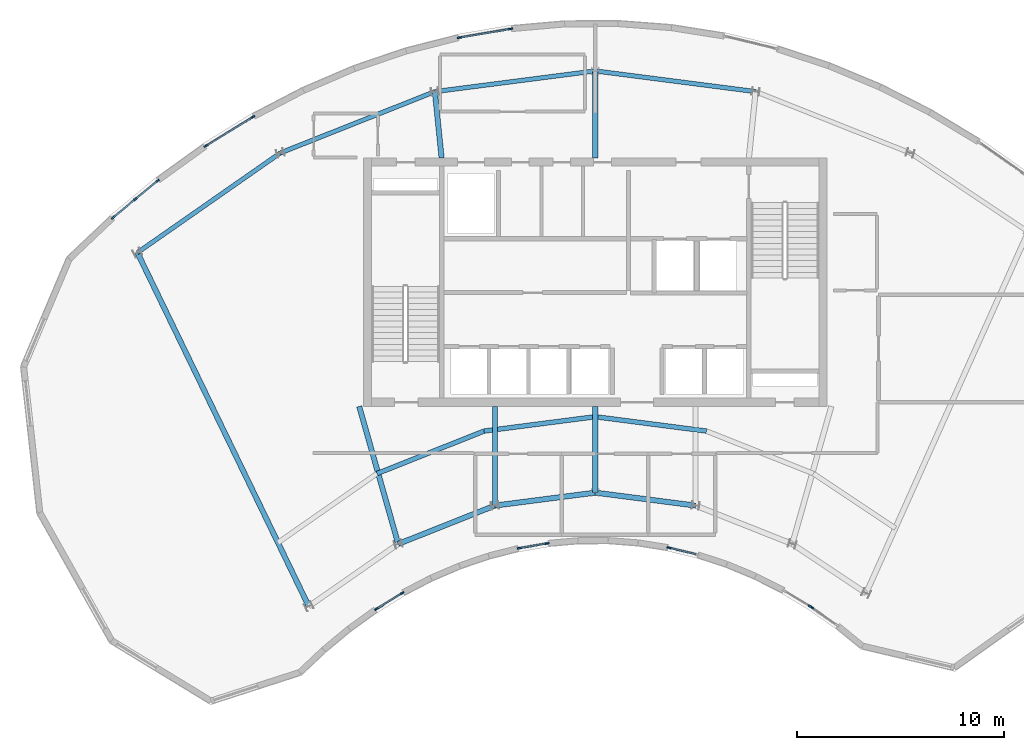
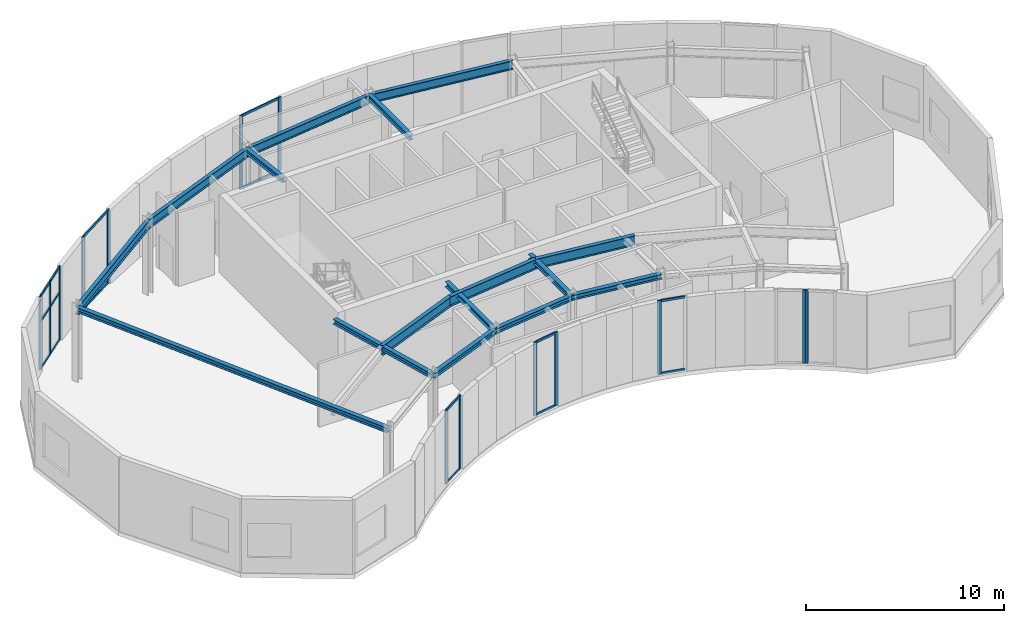
# One storey, part 3 of 10: 30 members, 16 beams, 8 elements without a shape of their own.
"""IFC4 building model written with IfcOpenShell, lengths in metres."""

from ifc_helpers import new_model, si_unit, direction, frame, origin, origin_2d, place, context, subcontext, project, spatial, rectangle, i_section, extrude, source, transform, mapped, material, layer, layer_set, material_profile, profile_set, type_object, element, aggregate, save


model = new_model("IFC4")

# Units and contexts
model_context = context("Model", 3, precision=1e-05, world=origin(), true_north=direction((0.0, 1.0)))
body_context = subcontext(model_context, "Body", "Model", "MODEL_VIEW")
ifc_project = project(units=[si_unit("LENGTHUNIT", "METRE"), si_unit("AREAUNIT", "SQUARE_METRE"), si_unit("VOLUMEUNIT", "CUBIC_METRE"), si_unit("PLANEANGLEUNIT", "RADIAN"), si_unit("MASSUNIT", "GRAM", prefix="KILO")], contexts=[model_context])

# Site, building, storey
site_placement = place(None, origin())
site = spatial("IfcSite", under=ifc_project, at=site_placement, CompositionType="ELEMENT")
building_placement = place(site_placement, origin())
building = spatial("IfcBuilding", under=site, at=building_placement, Name="Breltana Convention Tower", CompositionType="ELEMENT")
storey_placement = place(building_placement, frame((0.0, 0.0, 303.0)))
storey = spatial("IfcBuildingStorey", under=building, at=storey_placement, Name="L74", CompositionType="ELEMENT", Elevation=303.0)

# Beams
ifc_material_1 = material(Name="Steel ASTM A992 Grade 50", Category="steel")
ifc_material_profile_1 = material_profile(ifc_material_1, i_section(OverallWidth=0.214111328125, OverallDepth=0.549072265625, WebThickness=0.0146484375, FlangeThickness=0.023681640625, at=origin_2d()), Name="W21X93")
ifc_profile_set_1 = profile_set([ifc_material_profile_1], Name="Steel ASTM A992 Grade 50")
beam_type_1 = type_object("IfcBeamType", Name="BM-SP-W21X93", PredefinedType="SPANDREL", material=ifc_profile_set_1)
shared_shape_1 = source(origin(), body_context, "Body", "SweptSolid", [
    extrude(i_section(OverallWidth=0.214111328125, OverallDepth=0.549072265625, WebThickness=0.0146484375, FlangeThickness=0.023681640625, at=origin_2d()), origin(), (0.0, 0.0, 1.0), 8.4169921875),
])
beam_1_placement = place(storey_placement, frame((25.8876953125, 67.626953125, 4.265380859375), z_axis=(0.820173800102, 0.572114444519, 0.0), x_axis=(-0.572114444519, 0.820173800102, 0.0)))
element("IfcBeam", 1, at=beam_1_placement, inside=storey, type_object=beam_type_1, Name="L74 Outer Spandrel Beam 03", PredefinedType="SPANDREL", context=body_context, shape_type="MappedRepresentation", body=[
    mapped(shared_shape_1, transform((0.0, 0.0, 0.0), scale=1.0)),
])
shared_shape_2 = source(origin(), body_context, "Body", "SweptSolid", [
    extrude(i_section(OverallWidth=0.214111328125, OverallDepth=0.549072265625, WebThickness=0.0146484375, FlangeThickness=0.023681640625, at=origin_2d()), origin(), (0.0, 0.0, 1.0), 8.028564453125),
])
beam_2_placement = place(storey_placement, frame((32.791015625, 72.4423828125, 4.265380859375), z_axis=(0.929459100394, 0.368925169507, 0.0), x_axis=(-0.368925169507, 0.929459100394, 0.0)))
element("IfcBeam", 2, at=beam_2_placement, inside=storey, type_object=beam_type_1, Name="L74 Outer Spandrel Beam 04", PredefinedType="SPANDREL", context=body_context, shape_type="MappedRepresentation", body=[
    mapped(shared_shape_2, transform((0.0, 0.0, 0.0), scale=1.0)),
])
shared_shape_3 = source(origin(), body_context, "Body", "SweptSolid", [
    extrude(i_section(OverallWidth=0.214111328125, OverallDepth=0.549072265625, WebThickness=0.0146484375, FlangeThickness=0.023681640625, at=origin_2d()), origin(), (0.0, 0.0, 1.0), 7.81103515625),
])
for number, where, z_axis, x_axis, name in (
    (3, (40.253173828125, 75.404296875, 4.265380859375), (0.991775179127, 0.127992164083, 0.0), (-0.127992164083, 0.991775179127, 0.0), "L74 Outer Spandrel Beam 05"),
    (4, (48.0, 76.404052734375, 4.265380859375), (0.991775179127, -0.127992164083, 0.0), (0.127992164083, 0.991775179127, 0.0), "L74 Outer Spandrel Beam 06"),
):
    element("IfcBeam", number, at=place(storey_placement, frame(where, z_axis=z_axis, x_axis=x_axis)), inside=storey, type_object=beam_type_1, Name=name, PredefinedType="SPANDREL", context=body_context, shape_type="MappedRepresentation", body=[
        mapped(shared_shape_3, transform((0.0, 0.0, 0.0), scale=1.0)),
    ])
ifc_material_profile_2 = material_profile(ifc_material_1, i_section(OverallWidth=0.25390625, OverallDepth=0.305908203125, WebThickness=0.0087890625, FlangeThickness=0.0146484375, at=origin_2d()), Name="W12X53")
ifc_profile_set_2 = profile_set([ifc_material_profile_2], Name="Steel ASTM A992 Grade 50")
beam_type_2 = type_object("IfcBeamType", Name="BM-CN-W12X53", PredefinedType="BEAM", material=ifc_profile_set_2)
shared_shape_4 = source(origin(), body_context, "Body", "SweptSolid", [
    extrude(i_section(OverallWidth=0.25390625, OverallDepth=0.305908203125, WebThickness=0.0087890625, FlangeThickness=0.0146484375, at=origin_2d()), origin(), (0.0, 0.0, 1.0), 18.982421875),
])
beam_3_placement = place(storey_placement, frame((34.166259765625, 50.544921875, 4.386962890625), z_axis=(-0.436118560343, 0.89988921614, 0.0), x_axis=(-0.89988921614, -0.436118560343, 0.0)))
element("IfcBeam", 5, at=beam_3_placement, inside=storey, type_object=beam_type_2, Name="L74 Radial Floor Girder R03", PredefinedType="BEAM", context=body_context, shape_type="MappedRepresentation", body=[
    mapped(shared_shape_4, transform((0.0, 0.0, 0.0), scale=1.0)),
])
shared_shape_5 = source(origin(), body_context, "Body", "SweptSolid", [
    extrude(i_section(OverallWidth=0.25390625, OverallDepth=0.305908203125, WebThickness=0.0087890625, FlangeThickness=0.0146484375, at=origin_2d()), origin(), (0.0, 0.0, 1.0), 6.904541015625),
])
beam_4_placement = place(storey_placement, frame((36.60009765625, 60.199951171875, 4.386962890625), z_axis=(0.273006781054, -0.962012108811, 0.0), x_axis=(0.962012108811, 0.273006781054, 0.0)))
element("IfcBeam", 6, at=beam_4_placement, inside=storey, type_object=beam_type_2, Name="L74 South Core Tie Girder R04", PredefinedType="BEAM", context=body_context, shape_type="MappedRepresentation", body=[
    mapped(shared_shape_5, transform((0.0, 0.0, 0.0), scale=1.0)),
])
shared_shape_6 = source(origin(), body_context, "Body", "SweptSolid", [
    extrude(i_section(OverallWidth=0.25390625, OverallDepth=0.305908203125, WebThickness=0.0087890625, FlangeThickness=0.0146484375, at=origin_2d()), origin(), (0.0, 0.0, 1.0), 4.789306640625),
])
beam_5_placement = place(storey_placement, frame((43.153564453125, 60.199951171875, 4.386962890625), z_axis=(0.0, -1.0, 0.0), x_axis=(1.0, 0.0, 0.0)))
element("IfcBeam", 7, at=beam_5_placement, inside=storey, type_object=beam_type_2, Name="L74 South Core Tie Girder R05", PredefinedType="BEAM", context=body_context, shape_type="MappedRepresentation", body=[
    mapped(shared_shape_6, transform((0.0, 0.0, 0.0), scale=1.0)),
])
shared_shape_7 = source(origin(), body_context, "Body", "SweptSolid", [
    extrude(i_section(OverallWidth=0.25390625, OverallDepth=0.305908203125, WebThickness=0.0087890625, FlangeThickness=0.0146484375, at=origin_2d()), origin(), (0.0, 0.0, 1.0), 3.220947265625),
])
beam_6_placement = place(storey_placement, frame((40.580078125, 72.199951171875, 4.386962890625), z_axis=(-0.101492254858, 0.994836329355, 0.0), x_axis=(-0.994836329355, -0.101492254858, 0.0)))
element("IfcBeam", 8, at=beam_6_placement, inside=storey, type_object=beam_type_2, Name="L74 North Core Radial Girder R05", PredefinedType="BEAM", context=body_context, shape_type="MappedRepresentation", body=[
    mapped(shared_shape_7, transform((0.0, 0.0, 0.0), scale=1.0)),
])
shared_shape_8 = source(origin(), body_context, "Body", "SweptSolid", [
    extrude(i_section(OverallWidth=0.25390625, OverallDepth=0.305908203125, WebThickness=0.0087890625, FlangeThickness=0.0146484375, at=origin_2d()), origin(), (0.0, 0.0, 1.0), 4.1640625),
])
beam_7_placement = place(storey_placement, frame((48.0, 60.199951171875, 4.386962890625), z_axis=(0.0, -1.0, 0.0), x_axis=(1.0, 0.0, 0.0)))
element("IfcBeam", 9, at=beam_7_placement, inside=storey, type_object=beam_type_2, Name="L74 South Core Tie Girder R06", PredefinedType="BEAM", context=body_context, shape_type="MappedRepresentation", body=[
    mapped(shared_shape_8, transform((0.0, 0.0, 0.0), scale=1.0)),
])
shared_shape_9 = source(origin(), body_context, "Body", "SweptSolid", [
    extrude(i_section(OverallWidth=0.25390625, OverallDepth=0.305908203125, WebThickness=0.0087890625, FlangeThickness=0.0146484375, at=origin_2d()), origin(), (0.0, 0.0, 1.0), 4.2041015625),
])
beam_8_placement = place(storey_placement, frame((48.0, 72.199951171875, 4.386962890625), z_axis=(0.0, 1.0, 0.0), x_axis=(-1.0, 0.0, 0.0)))
element("IfcBeam", 10, at=beam_8_placement, inside=storey, type_object=beam_type_2, Name="L74 North Core Radial Girder R06", PredefinedType="BEAM", context=body_context, shape_type="MappedRepresentation", body=[
    mapped(shared_shape_9, transform((0.0, 0.0, 0.0), scale=1.0)),
])
shared_shape_10 = source(origin(), body_context, "Body", "SweptSolid", [
    extrude(i_section(OverallWidth=0.25390625, OverallDepth=0.305908203125, WebThickness=0.0087890625, FlangeThickness=0.0146484375, at=origin_2d()), origin(), (0.0, 0.0, 1.0), 5.022705078125),
])
beam_9_placement = place(storey_placement, frame((38.485107421875, 53.5576171875, 4.386962890625), z_axis=(0.929458966248, 0.368925507469, 0.0), x_axis=(-0.368925507469, 0.929458966248, 0.0)))
element("IfcBeam", 11, at=beam_9_placement, inside=storey, type_object=beam_type_2, Name="L74 Inner Ring Beam 04", PredefinedType="BEAM", context=body_context, shape_type="MappedRepresentation", body=[
    mapped(shared_shape_10, transform((0.0, 0.0, 0.0), scale=1.0)),
])
shared_shape_11 = source(origin(), body_context, "Body", "SweptSolid", [
    extrude(i_section(OverallWidth=0.25390625, OverallDepth=0.305908203125, WebThickness=0.0087890625, FlangeThickness=0.0146484375, at=origin_2d()), origin(), (0.0, 0.0, 1.0), 4.88671875),
])
for number, where, z_axis, x_axis, name in (
    (12, (43.153564453125, 55.41064453125, 4.386962890625), (0.991780525565, 0.127950729231, 0.0), (-0.127950729231, 0.991780525565, 0.0), "L74 Inner Ring Beam 05"),
    (13, (48.0, 56.035888671875, 4.386962890625), (0.991780525565, -0.127950729231, 0.0), (0.127950729231, 0.991780525565, 0.0), "L74 Inner Ring Beam 06"),
):
    element("IfcBeam", number, at=place(storey_placement, frame(where, z_axis=z_axis, x_axis=x_axis)), inside=storey, type_object=beam_type_2, Name=name, PredefinedType="BEAM", context=body_context, shape_type="MappedRepresentation", body=[
        mapped(shared_shape_11, transform((0.0, 0.0, 0.0), scale=1.0)),
    ])
ifc_material_profile_3 = material_profile(ifc_material_1, i_section(OverallWidth=0.22802734375, OverallDepth=0.60791015625, WebThickness=0.01123046875, FlangeThickness=0.017333984375, at=origin_2d()), Name="W24X76")
ifc_profile_set_3 = profile_set([ifc_material_profile_3], Name="Steel ASTM A992 Grade 50")
beam_type_3 = type_object("IfcBeamType", Name="BM-JSG-02", PredefinedType="JOIST", material=ifc_profile_set_3)
shared_shape_12 = source(origin(), body_context, "Body", "SweptSolid", [
    extrude(i_section(OverallWidth=0.22802734375, OverallDepth=0.60791015625, WebThickness=0.01123046875, FlangeThickness=0.017333984375, at=origin_2d()), origin(), (0.0, 0.0, 1.0), 5.563720703125),
])
beam_10_placement = place(storey_placement, frame((37.460205078125, 56.956787109375, 4.236083984375), z_axis=(0.929447960386, 0.368953234074, 0.0), x_axis=(-0.368953234074, 0.929447960386, 0.0)))
element("IfcBeam", 14, at=beam_10_placement, inside=storey, type_object=beam_type_3, Name="L74 Composite Floor Joist 04.1", PredefinedType="JOIST", context=body_context, shape_type="MappedRepresentation", body=[
    mapped(shared_shape_12, transform((0.0, 0.0, 0.0), scale=1.0)),
])
shared_shape_13 = source(origin(), body_context, "Body", "SweptSolid", [
    extrude(i_section(OverallWidth=0.22802734375, OverallDepth=0.60791015625, WebThickness=0.01123046875, FlangeThickness=0.017333984375, at=origin_2d()), origin(), (0.0, 0.0, 1.0), 5.4130859375),
])
for number, where, z_axis, x_axis, name in (
    (15, (42.63134765625, 59.009521484375, 4.236083984375), (0.991780266945, 0.127952733848, 0.0), (-0.127952733848, 0.991780266945, 0.0), "L74 Composite Floor Joist 05.1"),
    (16, (48.0, 59.7021484375, 4.236083984375), (0.991780266945, -0.127952733848, 0.0), (0.127952733848, 0.991780266945, 0.0), "L74 Composite Floor Joist 06.1"),
):
    element("IfcBeam", number, at=place(storey_placement, frame(where, z_axis=z_axis, x_axis=x_axis)), inside=storey, type_object=beam_type_3, Name=name, PredefinedType="JOIST", context=body_context, shape_type="MappedRepresentation", body=[
        mapped(shared_shape_13, transform((0.0, 0.0, 0.0), scale=1.0)),
    ])

# Curtain wall, member
ifc_material_2 = material(Name="Aluminium Anodised Bronze Frame", Category="aluminium")
ifc_layer_1 = layer(ifc_material_2, 0.18994140625, Name="Aluminium Anodised Bronze Frame")
ifc_layer_set_1 = layer_set([ifc_layer_1], Name="Aluminium Anodised Bronze Frame")
curtain_wall_type_1 = type_object("IfcCurtainWallType", Name="CW-SYS-1", PredefinedType="NOTDEFINED", material=ifc_layer_set_1)
curtain_wall_1_placement = place(storey_placement, origin())
curtain_wall_1 = element("IfcCurtainWall", 17, at=curtain_wall_1_placement, inside=storey, type_object=curtain_wall_type_1, Name="L74 inner south-court glazing 1", PredefinedType="NOTDEFINED")
ifc_material_3 = material(Name="Aluminium Anodised Bronze", Category="aluminium")
ifc_material_profile_4 = material_profile(ifc_material_3, rectangle(XDim=0.080078125, YDim=0.199951171875, at=origin_2d()), Name="CWM-80X200")
ifc_profile_set_4 = profile_set([ifc_material_profile_4], Name="Aluminium Anodised Bronze")
member_type_1 = type_object("IfcMemberType", Name="CWM-200", PredefinedType="MULLION", material=ifc_profile_set_4)
shared_shape_14 = source(origin(), body_context, "Body", "SweptSolid", [
    extrude(rectangle(XDim=0.080078125, YDim=0.199951171875, at=origin_2d()), origin(), (0.0, 0.0, 1.0), 4.5400390625),
])
member_1_placement = place(storey_placement, frame((58.4599609375, 50.4873046875, 0.0), z_axis=(0.0, 0.0, 1.0), x_axis=(-0.576173895534, -0.817327132857, 0.0)))
member_1 = element("IfcMember", 18, at=member_1_placement, type_object=member_type_1, Name="CW-01 mullion 2", PredefinedType="MULLION", context=body_context, shape_type="MappedRepresentation", body=[
    mapped(shared_shape_14, transform((0.0, 0.0, 0.0), scale=1.0)),
])
aggregate(curtain_wall_1, [member_1])

curtain_wall_2_placement = place(storey_placement, origin())
curtain_wall_2 = element("IfcCurtainWall", 19, at=curtain_wall_2_placement, inside=storey, type_object=curtain_wall_type_1, Name="L74 inner south-court glazing 2", PredefinedType="NOTDEFINED")
member_2_placement = place(storey_placement, frame((58.38232421875, 50.5380859375, 0.0), z_axis=(0.0, 0.0, 1.0), x_axis=(-0.516826673654, -0.856090059164, 0.0)))
member_2 = element("IfcMember", 20, at=member_2_placement, type_object=member_type_1, Name="CW-01 mullion 1", PredefinedType="MULLION", context=body_context, shape_type="MappedRepresentation", body=[
    mapped(shared_shape_14, transform((0.0, 0.0, 0.0), scale=1.0)),
])
aggregate(curtain_wall_2, [member_2])

curtain_wall_3_placement = place(storey_placement, origin())
curtain_wall_3 = element("IfcCurtainWall", 21, at=curtain_wall_3_placement, inside=storey, type_object=curtain_wall_type_1, Name="L74 inner south-court glazing 3", PredefinedType="NOTDEFINED")
member_3_placement = place(storey_placement, frame((51.562255859375, 53.3759765625, 0.0), z_axis=(0.0, 0.0, 1.0), x_axis=(-0.235517485062, -0.97187011181, 0.0)))
member_3 = element("IfcMember", 22, at=member_3_placement, type_object=member_type_1, Name="CW-01 mullion 2", PredefinedType="MULLION", context=body_context, shape_type="MappedRepresentation", body=[
    mapped(shared_shape_14, transform((0.0, 0.0, 0.0), scale=1.0)),
])

# Curtain wall, members
curtain_wall_4_placement = place(storey_placement, origin())
curtain_wall_4 = element("IfcCurtainWall", 23, at=curtain_wall_4_placement, inside=storey, type_object=curtain_wall_type_1, Name="L74 inner south-court glazing 4", PredefinedType="NOTDEFINED")
member_4_placement = place(storey_placement, frame((45.673095703125, 53.582275390625, 0.0), z_axis=(0.0, 0.0, 1.0), x_axis=(0.168027922521, -0.985782236223, 0.0)))
member_4 = element("IfcMember", 24, at=member_4_placement, type_object=member_type_1, Name="CW-01 mullion 1", PredefinedType="MULLION", context=body_context, shape_type="MappedRepresentation", body=[
    mapped(shared_shape_14, transform((0.0, 0.0, 0.0), scale=1.0)),
])
member_5_placement = place(storey_placement, frame((44.3251953125, 53.3525390625, 0.0), z_axis=(0.0, 0.0, 1.0), x_axis=(0.168027922521, -0.985782236223, 0.0)))
member_5 = element("IfcMember", 25, at=member_5_placement, type_object=member_type_1, Name="CW-01 mullion 2", PredefinedType="MULLION", context=body_context, shape_type="MappedRepresentation", body=[
    mapped(shared_shape_14, transform((0.0, 0.0, 0.0), scale=1.0)),
])

curtain_wall_5_placement = place(storey_placement, origin())
curtain_wall_5 = element("IfcCurtainWall", 26, at=curtain_wall_5_placement, inside=storey, type_object=curtain_wall_type_1, Name="L74 inner south-court glazing 5", PredefinedType="NOTDEFINED")
member_6_placement = place(storey_placement, frame((38.669677734375, 51.180419921875, 0.0), z_axis=(0.0, 0.0, 1.0), x_axis=(0.525571911271, -0.850749179302, 0.0)))
member_6 = element("IfcMember", 27, at=member_6_placement, type_object=member_type_1, Name="CW-01 mullion 1", PredefinedType="MULLION", context=body_context, shape_type="MappedRepresentation", body=[
    mapped(shared_shape_14, transform((0.0, 0.0, 0.0), scale=1.0)),
])
member_7_placement = place(storey_placement, frame((37.431396484375, 50.41552734375, 0.0), z_axis=(0.0, 0.0, 1.0), x_axis=(0.525571911271, -0.850749179302, 0.0)))
member_7 = element("IfcMember", 28, at=member_7_placement, type_object=member_type_1, Name="CW-01 mullion 2", PredefinedType="MULLION", context=body_context, shape_type="MappedRepresentation", body=[
    mapped(shared_shape_14, transform((0.0, 0.0, 0.0), scale=1.0)),
])

ifc_layer_2 = layer(ifc_material_2, 0.239990234375, Name="Aluminium Anodised Bronze Frame")
ifc_layer_set_2 = layer_set([ifc_layer_2], Name="Aluminium Anodised Bronze Frame")
curtain_wall_type_2 = type_object("IfcCurtainWallType", Name="CW-SYS-6", PredefinedType="NOTDEFINED", material=ifc_layer_set_2)
curtain_wall_6_placement = place(storey_placement, origin())
curtain_wall_6 = element("IfcCurtainWall", 29, at=curtain_wall_6_placement, inside=storey, type_object=curtain_wall_type_2, Name="L74 outer double-skin inner glazing 1", PredefinedType="NOTDEFINED")
member_8_placement = place(storey_placement, frame((24.720703125, 69.32470703125, 0.0), z_axis=(0.0, 0.0, 1.0), x_axis=(-0.638320160979, 0.76977098678, 0.0)))
member_8 = element("IfcMember", 30, at=member_8_placement, type_object=member_type_1, Name="CW-06 mullion 1", PredefinedType="MULLION", context=body_context, shape_type="MappedRepresentation", body=[
    mapped(shared_shape_14, transform((0.0, 0.0, 0.0), scale=1.0)),
])
member_9_placement = place(storey_placement, frame((25.78759765625, 70.209228515625, 0.0), z_axis=(0.0, 0.0, 1.0), x_axis=(-0.638320160979, 0.76977098678, 0.0)))
member_9 = element("IfcMember", 31, at=member_9_placement, type_object=member_type_1, Name="CW-06 mullion 2", PredefinedType="MULLION", context=body_context, shape_type="MappedRepresentation", body=[
    mapped(shared_shape_14, transform((0.0, 0.0, 0.0), scale=1.0)),
])
member_10_placement = place(storey_placement, frame((26.8544921875, 71.093994140625, 0.0), z_axis=(0.0, 0.0, 1.0), x_axis=(-0.638320160979, 0.76977098678, 0.0)))
member_10 = element("IfcMember", 32, at=member_10_placement, type_object=member_type_1, Name="CW-06 mullion 3", PredefinedType="MULLION", context=body_context, shape_type="MappedRepresentation", body=[
    mapped(shared_shape_14, transform((0.0, 0.0, 0.0), scale=1.0)),
])

curtain_wall_7_placement = place(storey_placement, origin())
curtain_wall_7 = element("IfcCurtainWall", 33, at=curtain_wall_7_placement, inside=storey, type_object=curtain_wall_type_2, Name="L74 outer double-skin inner glazing 2", PredefinedType="NOTDEFINED")
member_11_placement = place(storey_placement, frame((29.19287109375, 72.77783203125, 0.0), z_axis=(0.0, 0.0, 1.0), x_axis=(-0.525540797325, 0.850768399946, 0.0)))
member_11 = element("IfcMember", 34, at=member_11_placement, type_object=member_type_1, Name="CW-06 mullion 1", PredefinedType="MULLION", context=body_context, shape_type="MappedRepresentation", body=[
    mapped(shared_shape_14, transform((0.0, 0.0, 0.0), scale=1.0)),
])
member_12_placement = place(storey_placement, frame((31.468505859375, 74.18359375, 0.0), z_axis=(0.0, 0.0, 1.0), x_axis=(-0.525540797325, 0.850768399946, 0.0)))
member_12 = element("IfcMember", 35, at=member_12_placement, type_object=member_type_1, Name="CW-06 mullion 2", PredefinedType="MULLION", context=body_context, shape_type="MappedRepresentation", body=[
    mapped(shared_shape_14, transform((0.0, 0.0, 0.0), scale=1.0)),
])

curtain_wall_8_placement = place(storey_placement, origin())
curtain_wall_8 = element("IfcCurtainWall", 36, at=curtain_wall_8_placement, inside=storey, type_object=curtain_wall_type_2, Name="L74 outer double-skin inner glazing 3", PredefinedType="NOTDEFINED")
member_13_placement = place(storey_placement, frame((41.436279296875, 78.01318359375, 0.0), z_axis=(0.0, 0.0, 1.0), x_axis=(-0.168016928095, 0.985784110175, 0.0)))
member_13 = element("IfcMember", 37, at=member_13_placement, type_object=member_type_1, Name="CW-06 mullion 1", PredefinedType="MULLION", context=body_context, shape_type="MappedRepresentation", body=[
    mapped(shared_shape_14, transform((0.0, 0.0, 0.0), scale=1.0)),
])
member_14_placement = place(storey_placement, frame((43.914794921875, 78.435791015625, 0.0), z_axis=(0.0, 0.0, 1.0), x_axis=(-0.168016928095, 0.985784110175, 0.0)))
member_14 = element("IfcMember", 38, at=member_14_placement, type_object=member_type_1, Name="CW-06 mullion 2", PredefinedType="MULLION", context=body_context, shape_type="MappedRepresentation", body=[
    mapped(shared_shape_14, transform((0.0, 0.0, 0.0), scale=1.0)),
])

# Member
ifc_material_profile_5 = material_profile(ifc_material_3, rectangle(XDim=0.080078125, YDim=0.139892578125, at=origin_2d()), Name="CWT-80X140")
ifc_profile_set_5 = profile_set([ifc_material_profile_5], Name="Aluminium Anodised Bronze")
member_type_2 = type_object("IfcMemberType", Name="CWT-140", PredefinedType="USERDEFINED", material=ifc_profile_set_5)
shared_shape_15 = source(origin(), body_context, "Body", "SweptSolid", [
    extrude(rectangle(XDim=0.080078125, YDim=0.139892578125, at=origin_2d()), origin(), (0.0, 0.0, 1.0), 1.296142578125),
])
member_15_placement = place(storey_placement, frame((52.86083984375, 53.06103515625, 0.0400390625), z_axis=(-0.97184618516, 0.235616197216, 0.0), x_axis=(-0.235616197216, -0.97184618516, 0.0)))
member_15 = element("IfcMember", 39, at=member_15_placement, type_object=member_type_2, Name="CW-01 transom 1.1", ObjectType="TRANSOM", PredefinedType="USERDEFINED", context=body_context, shape_type="MappedRepresentation", body=[
    mapped(shared_shape_15, transform((0.0, 0.0, 0.0), scale=1.0)),
])

member_16_placement = place(storey_placement, frame((52.86083984375, 53.06103515625, 4.5), z_axis=(-0.97184618516, 0.235616197216, 0.0), x_axis=(-0.235616197216, -0.97184618516, 0.0)))
member_16 = element("IfcMember", 40, at=member_16_placement, type_object=member_type_2, Name="CW-01 transom 1.2", ObjectType="TRANSOM", PredefinedType="USERDEFINED", context=body_context, shape_type="MappedRepresentation", body=[
    mapped(shared_shape_15, transform((0.0, 0.0, 0.0), scale=1.0)),
])

aggregate(curtain_wall_3, [member_3, member_15, member_16])

shared_shape_16 = source(origin(), body_context, "Body", "SweptSolid", [
    extrude(rectangle(XDim=0.080078125, YDim=0.139892578125, at=origin_2d()), origin(), (0.0, 0.0, 1.0), 1.287353515625),
])
member_17_placement = place(storey_placement, frame((45.6337890625, 53.57568359375, 0.0400390625), z_axis=(-0.985782429966, -0.16802678587, 0.0), x_axis=(0.16802678587, -0.985782429966, 0.0)))
member_17 = element("IfcMember", 41, at=member_17_placement, type_object=member_type_2, Name="CW-01 transom 1.1", ObjectType="TRANSOM", PredefinedType="USERDEFINED", context=body_context, shape_type="MappedRepresentation", body=[
    mapped(shared_shape_16, transform((0.0, 0.0, 0.0), scale=1.0)),
])

member_18_placement = place(storey_placement, frame((45.6337890625, 53.57568359375, 4.5), z_axis=(-0.985782429966, -0.16802678587, 0.0), x_axis=(0.16802678587, -0.985782429966, 0.0)))
member_18 = element("IfcMember", 42, at=member_18_placement, type_object=member_type_2, Name="CW-01 transom 1.2", ObjectType="TRANSOM", PredefinedType="USERDEFINED", context=body_context, shape_type="MappedRepresentation", body=[
    mapped(shared_shape_16, transform((0.0, 0.0, 0.0), scale=1.0)),
])

aggregate(curtain_wall_4, [member_4, member_5, member_17, member_18])

shared_shape_17 = source(origin(), body_context, "Body", "SweptSolid", [
    extrude(rectangle(XDim=0.080078125, YDim=0.139892578125, at=origin_2d()), origin(), (0.0, 0.0, 1.0), 1.37548828125),
])
member_19_placement = place(storey_placement, frame((38.6357421875, 51.159423828125, 0.0400390625), z_axis=(-0.850748978808, -0.525572235813, 0.0), x_axis=(0.525572235813, -0.850748978808, 0.0)))
member_19 = element("IfcMember", 43, at=member_19_placement, type_object=member_type_2, Name="CW-01 transom 1.1", ObjectType="TRANSOM", PredefinedType="USERDEFINED", context=body_context, shape_type="MappedRepresentation", body=[
    mapped(shared_shape_17, transform((0.0, 0.0, 0.0), scale=1.0)),
])

member_20_placement = place(storey_placement, frame((38.6357421875, 51.159423828125, 4.5), z_axis=(-0.850748978808, -0.525572235813, 0.0), x_axis=(0.525572235813, -0.850748978808, 0.0)))
member_20 = element("IfcMember", 44, at=member_20_placement, type_object=member_type_2, Name="CW-01 transom 1.2", ObjectType="TRANSOM", PredefinedType="USERDEFINED", context=body_context, shape_type="MappedRepresentation", body=[
    mapped(shared_shape_17, transform((0.0, 0.0, 0.0), scale=1.0)),
])

aggregate(curtain_wall_5, [member_6, member_7, member_19, member_20])

shared_shape_18 = source(origin(), body_context, "Body", "SweptSolid", [
    extrude(rectangle(XDim=0.080078125, YDim=0.139892578125, at=origin_2d()), origin(), (0.0, 0.0, 1.0), 1.305908203125),
])
member_21_placement = place(storey_placement, frame((24.75146484375, 69.35009765625, 0.0400390625), z_axis=(0.769675055177, 0.638435830321, 0.0), x_axis=(-0.638435830321, 0.769675055177, 0.0)))
member_21 = element("IfcMember", 45, at=member_21_placement, type_object=member_type_2, Name="CW-06 transom 1.1", ObjectType="TRANSOM", PredefinedType="USERDEFINED", context=body_context, shape_type="MappedRepresentation", body=[
    mapped(shared_shape_18, transform((0.0, 0.0, 0.0), scale=1.0)),
])

member_22_placement = place(storey_placement, frame((24.75146484375, 69.35009765625, 2.950927734375), z_axis=(0.769675055177, 0.638435830321, 0.0), x_axis=(-0.638435830321, 0.769675055177, 0.0)))
member_22 = element("IfcMember", 46, at=member_22_placement, type_object=member_type_2, Name="CW-06 transom 1.2", ObjectType="TRANSOM", PredefinedType="USERDEFINED", context=body_context, shape_type="MappedRepresentation", body=[
    mapped(shared_shape_18, transform((0.0, 0.0, 0.0), scale=1.0)),
])

member_23_placement = place(storey_placement, frame((24.75146484375, 69.35009765625, 4.5), z_axis=(0.769675055177, 0.638435830321, 0.0), x_axis=(-0.638435830321, 0.769675055177, 0.0)))
member_23 = element("IfcMember", 47, at=member_23_placement, type_object=member_type_2, Name="CW-06 transom 1.3", ObjectType="TRANSOM", PredefinedType="USERDEFINED", context=body_context, shape_type="MappedRepresentation", body=[
    mapped(shared_shape_18, transform((0.0, 0.0, 0.0), scale=1.0)),
])

shared_shape_19 = source(origin(), body_context, "Body", "SweptSolid", [
    extrude(rectangle(XDim=0.080078125, YDim=0.139892578125, at=origin_2d()), origin(), (0.0, 0.0, 1.0), 1.30615234375),
])
member_24_placement = place(storey_placement, frame((25.818359375, 70.23486328125, 0.0400390625), z_axis=(0.7697512398, 0.638343973753, 0.0), x_axis=(-0.638343973753, 0.7697512398, 0.0)))
member_24 = element("IfcMember", 48, at=member_24_placement, type_object=member_type_2, Name="CW-06 transom 2.1", ObjectType="TRANSOM", PredefinedType="USERDEFINED", context=body_context, shape_type="MappedRepresentation", body=[
    mapped(shared_shape_19, transform((0.0, 0.0, 0.0), scale=1.0)),
])

member_25_placement = place(storey_placement, frame((25.818359375, 70.23486328125, 2.950927734375), z_axis=(0.7697512398, 0.638343973753, 0.0), x_axis=(-0.638343973753, 0.7697512398, 0.0)))
member_25 = element("IfcMember", 49, at=member_25_placement, type_object=member_type_2, Name="CW-06 transom 2.2", ObjectType="TRANSOM", PredefinedType="USERDEFINED", context=body_context, shape_type="MappedRepresentation", body=[
    mapped(shared_shape_19, transform((0.0, 0.0, 0.0), scale=1.0)),
])

member_26_placement = place(storey_placement, frame((25.818359375, 70.23486328125, 4.5), z_axis=(0.7697512398, 0.638343973753, 0.0), x_axis=(-0.638343973753, 0.7697512398, 0.0)))
member_26 = element("IfcMember", 50, at=member_26_placement, type_object=member_type_2, Name="CW-06 transom 2.3", ObjectType="TRANSOM", PredefinedType="USERDEFINED", context=body_context, shape_type="MappedRepresentation", body=[
    mapped(shared_shape_19, transform((0.0, 0.0, 0.0), scale=1.0)),
])

aggregate(curtain_wall_6, [member_8, member_9, member_10, member_21, member_22, member_23, member_24, member_25, member_26])

shared_shape_20 = source(origin(), body_context, "Body", "SweptSolid", [
    extrude(rectangle(XDim=0.080078125, YDim=0.139892578125, at=origin_2d()), origin(), (0.0, 0.0, 1.0), 2.594482421875),
])
member_27_placement = place(storey_placement, frame((29.22705078125, 72.798828125, 0.0400390625), z_axis=(0.850762111111, 0.525550977829, 0.0), x_axis=(-0.525550977829, 0.850762111111, 0.0)))
member_27 = element("IfcMember", 51, at=member_27_placement, type_object=member_type_2, Name="CW-06 transom 1.1", ObjectType="TRANSOM", PredefinedType="USERDEFINED", context=body_context, shape_type="MappedRepresentation", body=[
    mapped(shared_shape_20, transform((0.0, 0.0, 0.0), scale=1.0)),
])

member_28_placement = place(storey_placement, frame((29.22705078125, 72.798828125, 4.5), z_axis=(0.850762111111, 0.525550977829, 0.0), x_axis=(-0.525550977829, 0.850762111111, 0.0)))
member_28 = element("IfcMember", 52, at=member_28_placement, type_object=member_type_2, Name="CW-06 transom 1.2", ObjectType="TRANSOM", PredefinedType="USERDEFINED", context=body_context, shape_type="MappedRepresentation", body=[
    mapped(shared_shape_20, transform((0.0, 0.0, 0.0), scale=1.0)),
])

aggregate(curtain_wall_7, [member_11, member_12, member_27, member_28])

shared_shape_21 = source(origin(), body_context, "Body", "SweptSolid", [
    extrude(rectangle(XDim=0.080078125, YDim=0.139892578125, at=origin_2d()), origin(), (0.0, 0.0, 1.0), 2.4345703125),
])
member_29_placement = place(storey_placement, frame((41.4755859375, 78.02001953125, 0.0400390625), z_axis=(0.985791152672, 0.167975603329, 0.0), x_axis=(-0.167975603329, 0.985791152672, 0.0)))
member_29 = element("IfcMember", 53, at=member_29_placement, type_object=member_type_2, Name="CW-06 transom 1.1", ObjectType="TRANSOM", PredefinedType="USERDEFINED", context=body_context, shape_type="MappedRepresentation", body=[
    mapped(shared_shape_21, transform((0.0, 0.0, 0.0), scale=1.0)),
])

member_30_placement = place(storey_placement, frame((41.4755859375, 78.02001953125, 4.5), z_axis=(0.985791152672, 0.167975603329, 0.0), x_axis=(-0.167975603329, 0.985791152672, 0.0)))
member_30 = element("IfcMember", 54, at=member_30_placement, type_object=member_type_2, Name="CW-06 transom 1.2", ObjectType="TRANSOM", PredefinedType="USERDEFINED", context=body_context, shape_type="MappedRepresentation", body=[
    mapped(shared_shape_21, transform((0.0, 0.0, 0.0), scale=1.0)),
])

aggregate(curtain_wall_8, [member_13, member_14, member_29, member_30])

save(model, "model.ifc")
